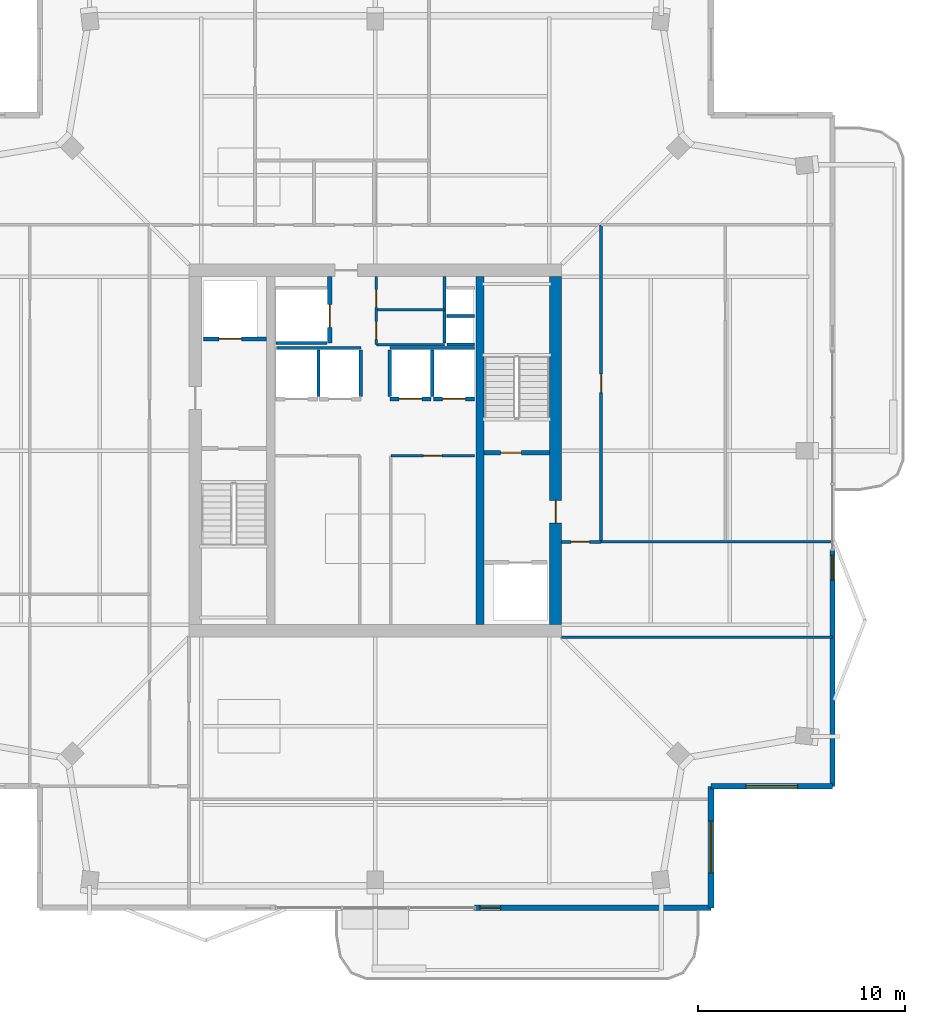
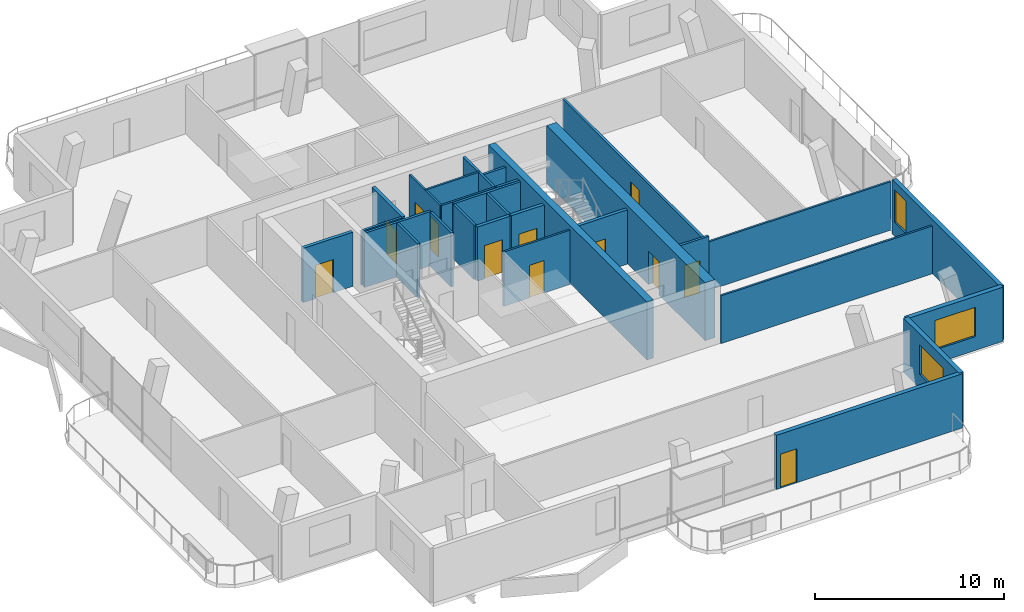
# One storey, part 14 of 19: 29 walls, 12 doors, 3 windows, 15 openings.
"""IFC4 building model written with IfcOpenShell, lengths in metres."""

from ifc_helpers import new_model, si_unit, direction, frame, frame_2d, origin, place, context, subcontext, project, spatial, rectangle, extrude, material, layer, layer_set, type_object, element, fill, save


model = new_model("IFC4")

# Units and contexts
model_context = context("Model", 3, precision=1e-05, world=origin(), true_north=direction((0.0, 1.0)))
body_context = subcontext(model_context, "Body", "Model", "MODEL_VIEW")
ifc_project = project(units=[si_unit("LENGTHUNIT", "METRE"), si_unit("AREAUNIT", "SQUARE_METRE"), si_unit("VOLUMEUNIT", "CUBIC_METRE"), si_unit("PLANEANGLEUNIT", "RADIAN"), si_unit("MASSUNIT", "GRAM", prefix="KILO")], contexts=[model_context])

# Site, building, storey
site_placement = place(None, origin())
site = spatial("IfcSite", under=ifc_project, at=site_placement, CompositionType="ELEMENT")
building_placement = place(site_placement, origin())
building = spatial("IfcBuilding", under=site, at=building_placement, Name="Belovzor Exchange Tower", CompositionType="ELEMENT")
storey_placement = place(building_placement, frame((0.0, 0.0, 340.5)))
storey = spatial("IfcBuildingStorey", under=building, at=storey_placement, Name="L85", CompositionType="ELEMENT", Elevation=340.5)

# Walls
ifc_material_1 = material(Name="Acoustic Plasterboard on Galvanised Studs", Category="gypsum")
ifc_layer_1 = layer(ifc_material_1, 0.1201171875)
ifc_layer_set_1 = layer_set([ifc_layer_1], Name="Acoustic Plasterboard on Galvanised Studs")
wall_type_1 = type_object("IfcWallType", Name="Acoustic Double-Stud Partition Wall 120", PredefinedType="PARTITIONING", material=ifc_layer_set_1)
wall_1_placement = place(storey_placement, frame((37.800048828125, 19.800048828125, 0.0), z_axis=(0.0, 0.0, 1.0), x_axis=(1.0, 0.0, 0.0)))
element("IfcWall", 1, at=wall_1_placement, inside=storey, type_object=wall_type_1, Name="W-P120 Partition Wall W-L85-ESS", PredefinedType="PARTITIONING", context=body_context, shape_type="SweptSolid", body=[
    extrude(rectangle(XDim=13.070068359375, YDim=0.1201171875, at=frame_2d((6.53515625, 0.0))), origin(), (0.0, 0.0, 1.0), 3.094970703125),
])
wall_2_placement = place(storey_placement, frame((39.699951171875, 24.39990234375, 0.0), z_axis=(0.0, 0.0, 1.0), x_axis=(1.0, 0.0, 0.0)))
element("IfcWall", 2, at=wall_2_placement, inside=storey, type_object=wall_type_1, Name="W-P120 Partition Wall W-L85-ESN", PredefinedType="PARTITIONING", context=body_context, shape_type="SweptSolid", body=[
    extrude(rectangle(XDim=11.170166015625, YDim=0.1201171875, at=frame_2d((5.5849609375, 0.0))), origin(), (0.0, 0.0, 1.0), 3.135009765625),
])

# Wall, openings, doors
ifc_material_2 = material(Name="Fire-Rated Plasterboard on Galvanised Studs", Category="gypsum")
ifc_layer_2 = layer(ifc_material_2, 0.1201171875)
ifc_layer_set_2 = layer_set([ifc_layer_2], Name="Fire-Rated Plasterboard on Galvanised Studs")
wall_type_2 = type_object("IfcWallType", Name="Fire-Rated Double-Stud Partition Wall 120", PredefinedType="PARTITIONING", material=ifc_layer_set_2)
wall_3_placement = place(storey_placement, frame((28.85009765625, 33.925048828125, 0.0), z_axis=(0.0, 0.0, 1.0), x_axis=(0.0, 1.0, 0.0)))
wall_3 = element("IfcWall", 3, at=wall_3_placement, inside=storey, type_object=wall_type_2, Name="W-P120F Partition Wall W-CRV-L85-W", PredefinedType="PARTITIONING", context=body_context, shape_type="SweptSolid", body=[
    extrude(rectangle(XDim=3.27490234375, YDim=0.1201171875, at=frame_2d((1.637451171875, 0.0))), origin(), (0.0, 0.0, 1.0), 3.510009765625),
])
opening_1_placement = place(wall_3_placement, frame((0.25, 0.0, 0.0)))
opening_1 = element("IfcOpeningElement", 4, at=opening_1_placement, cuts=wall_3, Name="Opening D-FD60-085", PredefinedType="OPENING", context=body_context, shape_type="SweptSolid", body=[
    extrude(rectangle(XDim=0.85009765625, YDim=2.10009765625, at=frame_2d((0.425048828125, 1.050048828125))), frame((0.0, 0.070068359375, 0.0), z_axis=(0.0, -1.0, 0.0), x_axis=(1.0, 0.0, 0.0)), (0.0, 0.0, 1.0), 0.14013671875),
])
opening_2_placement = place(wall_3_placement, frame((1.794921875, 0.0, 0.0)))
opening_2 = element("IfcOpeningElement", 5, at=opening_2_placement, cuts=wall_3, Name="Opening D-FD60-085", PredefinedType="OPENING", context=body_context, shape_type="SweptSolid", body=[
    extrude(rectangle(XDim=0.85009765625, YDim=2.10009765625, at=frame_2d((0.425048828125, 1.050048828125))), frame((0.0, 0.070068359375, 0.0), z_axis=(0.0, -1.0, 0.0), x_axis=(1.0, 0.0, 0.0)), (0.0, 0.0, 1.0), 0.14013671875),
])
ifc_material_3 = material(Name="Fire-Rated Steel Access Leaf", Category="steel")
door_type_1 = type_object("IfcDoorType", Name="Riser & Meter Closet Access Fire Door 850x2100", OperationType="NOTDEFINED", PredefinedType="DOOR", material=ifc_material_3)
door_1_placement = place(opening_1_placement, origin())
door_1 = element("IfcDoor", 6, at=door_1_placement, inside=storey, type_object=door_type_1, Name="D-FD60-085 Riser & Meter Closet Access Fire Door 850x2100", OperationType="SINGLE_SWING_LEFT", OverallHeight=2.10009765625, OverallWidth=0.85009765625, PredefinedType="DOOR", context=body_context, shape_type="SweptSolid", body=[
    extrude(rectangle(XDim=0.85009765625, YDim=2.10009765625, at=frame_2d((0.425048828125, 1.050048828125))), frame((0.0, 0.02490234375, 0.0), z_axis=(0.0, -1.0, 0.0), x_axis=(1.0, 0.0, 0.0)), (0.0, 0.0, 1.0), 0.050048828125),
])
fill(opening_1, door_1)
door_2_placement = place(opening_2_placement, origin())
door_2 = element("IfcDoor", 7, at=door_2_placement, inside=storey, type_object=door_type_1, Name="D-FD60-085 Riser & Meter Closet Access Fire Door 850x2100", OperationType="SINGLE_SWING_RIGHT", OverallHeight=2.10009765625, OverallWidth=0.85009765625, PredefinedType="DOOR", context=body_context, shape_type="SweptSolid", body=[
    extrude(rectangle(XDim=0.85009765625, YDim=2.10009765625, at=frame_2d((0.425048828125, 1.050048828125))), frame((0.0, 0.02490234375, 0.0), z_axis=(0.0, -1.0, 0.0), x_axis=(1.0, 0.0, 0.0)), (0.0, 0.0, 1.0), 0.050048828125),
])
fill(opening_2, door_2)

# Walls
for number, where, z_axis, x_axis, name in (
    (8, (28.85009765625, 35.60009765625, 0.0), (0.0, 0.0, 1.0), (1.0, 0.0, 0.0), "W-P120F Partition Wall W-CRV-L85-M"),
    (9, (28.85009765625, 33.925048828125, 0.0), (0.0, 0.0, 1.0), (1.0, 0.0, 0.0), "W-P120F Partition Wall W-CRV-L85-S"),
):
    element("IfcWall", number, at=place(storey_placement, frame(where, z_axis=z_axis, x_axis=x_axis)), inside=storey, type_object=wall_type_2, Name=name, PredefinedType="PARTITIONING", context=body_context, shape_type="SweptSolid", body=[
        extrude(rectangle(XDim=3.2998046875, YDim=0.1201171875, at=frame_2d((1.64990234375, 0.0))), origin(), (0.0, 0.0, 1.0), 3.510009765625),
    ])

# Wall, opening, door
wall_4_placement = place(storey_placement, frame((29.550048828125, 28.550048828125, 0.0), z_axis=(0.0, 0.0, 1.0), x_axis=(1.0, 0.0, 0.0)))
wall_4 = element("IfcWall", 10, at=wall_4_placement, inside=storey, type_object=wall_type_2, Name="W-P120F Partition Wall W-CREB-L85-N", PredefinedType="PARTITIONING", context=body_context, shape_type="SweptSolid", body=[
    extrude(rectangle(XDim=4.050048828125, YDim=0.1201171875, at=frame_2d((2.02490234375, 0.0))), origin(), (0.0, 0.0, 1.0), 3.510009765625),
])
opening_3_placement = place(wall_4_placement, frame((1.574951171875, 0.0, 0.0)))
opening_3 = element("IfcOpeningElement", 11, at=opening_3_placement, cuts=wall_4, Name="Opening D-FD60-090", PredefinedType="OPENING", context=body_context, shape_type="SweptSolid", body=[
    extrude(rectangle(XDim=0.89990234375, YDim=2.10009765625, at=frame_2d((0.449951171875, 1.050048828125))), frame((0.0, 0.070068359375, 0.0), z_axis=(0.0, -1.0, 0.0), x_axis=(1.0, 0.0, 0.0)), (0.0, 0.0, 1.0), 0.14013671875),
])
ifc_material_4 = material(Name="Acoustic Timber Fire Leaf", Category="wood")
door_type_2 = type_object("IfcDoorType", Name="Core Service & Restroom Fire Door 900x2100", OperationType="NOTDEFINED", PredefinedType="DOOR", material=ifc_material_4)
door_3_placement = place(opening_3_placement, origin())
door_3 = element("IfcDoor", 12, at=door_3_placement, inside=storey, type_object=door_type_2, Name="D-FD60-090 Core Service & Restroom Fire Door 900x2100", OperationType="SINGLE_SWING_RIGHT", OverallHeight=2.10009765625, OverallWidth=0.89990234375, PredefinedType="DOOR", context=body_context, shape_type="SweptSolid", body=[
    extrude(rectangle(XDim=0.89990234375, YDim=2.10009765625, at=frame_2d((0.449951171875, 1.050048828125))), frame((0.0, 0.02490234375, 0.0), z_axis=(0.0, -1.0, 0.0), x_axis=(1.0, 0.0, 0.0)), (0.0, 0.0, 1.0), 0.050048828125),
])
fill(opening_3, door_3)

ifc_material_5 = material(Name="Fire-Rated Gypsum Block and Mineral Wool", Category="gypsum")
ifc_layer_3 = layer(ifc_material_5, 0.14990234375)
ifc_layer_set_3 = layer_set([ifc_layer_3], Name="Fire-Rated Gypsum Block and Mineral Wool")
wall_type_3 = type_object("IfcWallType", Name="Fire-Rated Gypsum Block Corridor Wall 150", PredefinedType="PARTITIONING", material=ifc_layer_set_3)
wall_5_placement = place(storey_placement, frame((37.800048828125, 24.39990234375, 0.0), z_axis=(0.0, 0.0, 1.0), x_axis=(1.0, 0.0, 0.0)))
wall_5 = element("IfcWall", 13, at=wall_5_placement, inside=storey, type_object=wall_type_3, Name="W-P150 Partition Wall W-L85-CE-END", PredefinedType="PARTITIONING", context=body_context, shape_type="SweptSolid", body=[
    extrude(rectangle(XDim=1.89990234375, YDim=0.14990234375, at=frame_2d((0.949951171875, 0.0))), origin(), (0.0, 0.0, 1.0), 3.510009765625),
])
opening_4_placement = place(wall_5_placement, frame((0.449951171875, 0.0, 0.0)))
opening_4 = element("IfcOpeningElement", 14, at=opening_4_placement, cuts=wall_5, Name="Opening D-FD60-090", PredefinedType="OPENING", context=body_context, shape_type="SweptSolid", body=[
    extrude(rectangle(XDim=0.89990234375, YDim=2.10009765625, at=frame_2d((0.449951171875, 1.050048828125))), frame((0.0, 0.0849609375, 0.0), z_axis=(0.0, -1.0, 0.0), x_axis=(1.0, 0.0, 0.0)), (0.0, 0.0, 1.0), 0.169921875),
])
door_4_placement = place(opening_4_placement, origin())
door_4 = element("IfcDoor", 15, at=door_4_placement, inside=storey, type_object=door_type_2, Name="D-FD60-090 Core Service & Restroom Fire Door 900x2100", OperationType="SINGLE_SWING_LEFT", OverallHeight=2.10009765625, OverallWidth=0.89990234375, PredefinedType="DOOR", context=body_context, shape_type="SweptSolid", body=[
    extrude(rectangle(XDim=0.89990234375, YDim=2.10009765625, at=frame_2d((0.449951171875, 1.050048828125))), frame((0.0, 0.02490234375, 0.0), z_axis=(0.0, -1.0, 0.0), x_axis=(1.0, 0.0, 0.0)), (0.0, 0.0, 1.0), 0.050048828125),
])
fill(opening_4, door_4)

wall_6_placement = place(storey_placement, frame((39.699951171875, 24.39990234375, 0.0), z_axis=(0.0, 0.0, 1.0), x_axis=(0.0, 1.0, 0.0)))
wall_6 = element("IfcWall", 16, at=wall_6_placement, inside=storey, type_object=wall_type_3, Name="W-P150 Partition Wall W-L85-CE", PredefinedType="PARTITIONING", context=body_context, shape_type="SweptSolid", body=[
    extrude(rectangle(XDim=15.300048828125, YDim=0.14990234375, at=frame_2d((7.64990234375, 0.0))), origin(), (0.0, 0.0, 1.0), 3.094970703125),
])
opening_5_placement = place(wall_6_placement, frame((7.199951171875, 0.0, 0.0)))
opening_5 = element("IfcOpeningElement", 17, at=opening_5_placement, cuts=wall_6, Name="Opening D-INT-090", PredefinedType="OPENING", context=body_context, shape_type="SweptSolid", body=[
    extrude(rectangle(XDim=0.89990234375, YDim=2.10009765625, at=frame_2d((0.449951171875, 1.050048828125))), frame((0.0, 0.0849609375, 0.0), z_axis=(0.0, -1.0, 0.0), x_axis=(1.0, 0.0, 0.0)), (0.0, 0.0, 1.0), 0.169921875),
])
ifc_material_6 = material(Name="Veneered Hardwood Acoustic Leaf", Category="wood")
door_type_3 = type_object("IfcDoorType", Name="Trading Suite Acoustic Single Door 900x2100", OperationType="NOTDEFINED", PredefinedType="DOOR", material=ifc_material_6)
door_5_placement = place(opening_5_placement, origin())
door_5 = element("IfcDoor", 18, at=door_5_placement, inside=storey, type_object=door_type_3, Name="D-INT-090 Trading Suite Acoustic Single Door 900x2100", OperationType="SINGLE_SWING_LEFT", OverallHeight=2.10009765625, OverallWidth=0.89990234375, PredefinedType="DOOR", context=body_context, shape_type="SweptSolid", body=[
    extrude(rectangle(XDim=0.89990234375, YDim=2.10009765625, at=frame_2d((0.449951171875, 1.050048828125))), frame((0.0, 0.02490234375, 0.0), z_axis=(0.0, -1.0, 0.0), x_axis=(1.0, 0.0, 0.0)), (0.0, 0.0, 1.0), 0.050048828125),
])
fill(opening_5, door_5)

# Wall, opening, window
ifc_material_7 = material(Name="Precast concrete C40/50", Category="concrete")
ifc_layer_4 = layer(ifc_material_7, 0.280029296875)
ifc_layer_set_4 = layer_set([ifc_layer_4], Name="Precast concrete C40/50")
wall_type_4 = type_object("IfcWallType", Name="Precast Concrete Notched Corner Frame Wall 280", PredefinedType="SOLIDWALL", material=ifc_layer_set_4)
wall_7_placement = place(storey_placement, frame((50.8701171875, 12.60009765625, 0.0), z_axis=(0.0, 0.0, 1.0), x_axis=(-1.0, 0.0, 0.0)))
wall_7 = element("IfcWall", 19, at=wall_7_placement, inside=storey, type_object=wall_type_4, Name="W-CRN280 Precast Concrete Notched Corner Frame Wall 280 L85", PredefinedType="SOLIDWALL", context=body_context, shape_type="SweptSolid", body=[
    extrude(rectangle(XDim=5.8701171875, YDim=0.280029296875, at=frame_2d((2.93505859375, 0.0))), origin(), (0.0, 0.0, 1.0), 3.510009765625),
])
opening_6_placement = place(wall_7_placement, frame((1.68505859375, 0.0, 0.89990234375)))
opening_6 = element("IfcOpeningElement", 20, at=opening_6_placement, cuts=wall_7, Name="Opening WN-CRN250", PredefinedType="OPENING", context=body_context, shape_type="SweptSolid", body=[
    extrude(rectangle(XDim=2.5, YDim=1.89990234375, at=frame_2d((1.25, 0.949951171875))), frame((0.0, 0.14990234375, 0.0), z_axis=(0.0, -1.0, 0.0), x_axis=(1.0, 0.0, 0.0)), (0.0, 0.0, 1.0), 0.300048828125),
])
ifc_material_8 = material(Name="Thermally Broken Aluminium and Triple Glazing", Category="aluminium")
window_type_1 = type_object("IfcWindowType", Name="Streamline Moderne Corner Wrap Ribbon Window 2500x1900", PartitioningType="SINGLE_PANEL", PredefinedType="WINDOW", material=ifc_material_8)
window_1_placement = place(opening_6_placement, origin())
window_1 = element("IfcWindow", 21, at=window_1_placement, inside=storey, type_object=window_type_1, Name="WN-CRN250 Streamline Moderne Corner Wrap Ribbon Window 2500x1900", OverallHeight=1.89990234375, OverallWidth=2.5, PartitioningType="SINGLE_PANEL", PredefinedType="WINDOW", context=body_context, shape_type="SweptSolid", body=[
    extrude(rectangle(XDim=2.5, YDim=1.89990234375, at=frame_2d((1.25, 0.949951171875))), frame((0.0, 0.030029296875, 0.0), z_axis=(0.0, -1.0, 0.0), x_axis=(1.0, 0.0, 0.0)), (0.0, 0.0, 1.0), 0.06005859375),
])
fill(opening_6, window_1)

wall_8_placement = place(storey_placement, frame((45.0, 12.60009765625, 0.0), z_axis=(0.0, 0.0, 1.0), x_axis=(0.0, -1.0, 0.0)))
wall_8 = element("IfcWall", 22, at=wall_8_placement, inside=storey, type_object=wall_type_4, Name="W-CRN280 Precast Concrete Notched Corner Frame Wall 280 L85", PredefinedType="SOLIDWALL", context=body_context, shape_type="SweptSolid", body=[
    extrude(rectangle(XDim=5.8701171875, YDim=0.280029296875, at=frame_2d((2.93505859375, 0.0))), origin(), (0.0, 0.0, 1.0), 3.510009765625),
])
opening_7_placement = place(wall_8_placement, frame((1.68505859375, 0.0, 0.89990234375)))
opening_7 = element("IfcOpeningElement", 23, at=opening_7_placement, cuts=wall_8, Name="Opening WN-CRN250", PredefinedType="OPENING", context=body_context, shape_type="SweptSolid", body=[
    extrude(rectangle(XDim=2.5, YDim=1.89990234375, at=frame_2d((1.25, 0.949951171875))), frame((0.0, 0.14990234375, 0.0), z_axis=(0.0, -1.0, 0.0), x_axis=(1.0, 0.0, 0.0)), (0.0, 0.0, 1.0), 0.300048828125),
])
window_2_placement = place(opening_7_placement, origin())
window_2 = element("IfcWindow", 24, at=window_2_placement, inside=storey, type_object=window_type_1, Name="WN-CRN250 Streamline Moderne Corner Wrap Ribbon Window 2500x1900", OverallHeight=1.89990234375, OverallWidth=2.5, PartitioningType="SINGLE_PANEL", PredefinedType="WINDOW", context=body_context, shape_type="SweptSolid", body=[
    extrude(rectangle(XDim=2.5, YDim=1.89990234375, at=frame_2d((1.25, 0.949951171875))), frame((0.0, 0.030029296875, 0.0), z_axis=(0.0, -1.0, 0.0), x_axis=(1.0, 0.0, 0.0)), (0.0, 0.0, 1.0), 0.06005859375),
])
fill(opening_7, window_2)

# Wall, opening, door
ifc_material_9 = material(Name="Precast concrete C40/50", Category="concrete")
ifc_layer_5 = layer(ifc_material_9, 0.260009765625)
ifc_layer_set_5 = layer_set([ifc_layer_5], Name="Precast concrete C40/50")
wall_type_5 = type_object("IfcWallType", Name="Precast Concrete Perimeter Loggia Frame Wall 260", PredefinedType="SOLIDWALL", material=ifc_layer_set_5)
wall_9_placement = place(storey_placement, frame((45.0, 6.72998046875, 0.0), z_axis=(0.0, 0.0, 1.0), x_axis=(-1.0, 0.0, 0.0)))
wall_9 = element("IfcWall", 25, at=wall_9_placement, inside=storey, type_object=wall_type_5, Name="W-EXT260 Precast Concrete Perimeter Loggia Frame Wall 260 L85", PredefinedType="SOLIDWALL", context=body_context, shape_type="SweptSolid", body=[
    extrude(rectangle(XDim=11.39990234375, YDim=0.260009765625, at=frame_2d((5.699951171875, 0.0))), origin(), (0.0, 0.0, 1.0), 3.510009765625),
])
opening_8_placement = place(wall_9_placement, frame((10.14990234375, 0.0, 0.0)))
opening_8 = element("IfcOpeningElement", 26, at=opening_8_placement, cuts=wall_9, Name="Opening D-BAL100", PredefinedType="OPENING", context=body_context, shape_type="SweptSolid", body=[
    extrude(rectangle(XDim=1.0, YDim=2.199951171875, at=frame_2d((0.5, 1.10009765625))), frame((0.0, 0.139892578125, 0.0), z_axis=(0.0, -1.0, 0.0), x_axis=(1.0, 0.0, 0.0)), (0.0, 0.0, 1.0), 0.280029296875),
])
ifc_material_10 = material(Name="Thermally Broken Anodised Aluminium and Laminated Glass", Category="aluminium")
door_type_4 = type_object("IfcDoorType", Name="Planted Loggia Terrace Glazed Door 1000x2200", OperationType="SINGLE_SWING_LEFT", PredefinedType="DOOR", material=ifc_material_10)
door_6_placement = place(opening_8_placement, origin())
door_6 = element("IfcDoor", 27, at=door_6_placement, inside=storey, type_object=door_type_4, Name="D-BAL100 Balcony Terrace Door L85 S", OperationType="SINGLE_SWING_LEFT", OverallHeight=2.199951171875, OverallWidth=1.0, PredefinedType="DOOR", context=body_context, shape_type="SweptSolid", body=[
    extrude(rectangle(XDim=1.0, YDim=2.199951171875, at=frame_2d((0.5, 1.10009765625))), frame((0.0, 0.02490234375, 0.0), z_axis=(0.0, -1.0, 0.0), x_axis=(1.0, 0.0, 0.0)), (0.0, 0.0, 1.0), 0.050048828125),
])
fill(opening_8, door_6)

# Wall, opening, window
wall_10_placement = place(storey_placement, frame((50.8701171875, 24.0, 0.0), z_axis=(0.0, 0.0, 1.0), x_axis=(0.0, -1.0, 0.0)))
wall_10 = element("IfcWall", 28, at=wall_10_placement, inside=storey, type_object=wall_type_5, Name="W-EXT260 Precast Concrete Perimeter Loggia Frame Wall 260 L85", PredefinedType="SOLIDWALL", context=body_context, shape_type="SweptSolid", body=[
    extrude(rectangle(XDim=11.39990234375, YDim=0.260009765625, at=frame_2d((5.699951171875, 0.0))), origin(), (0.0, 0.0, 1.0), 3.510009765625),
])
opening_9_placement = place(wall_10_placement, frame((0.25, 0.0, 0.89990234375)))
opening_9 = element("IfcOpeningElement", 29, at=opening_9_placement, cuts=wall_10, Name="Opening WN-CRN120", PredefinedType="OPENING", context=body_context, shape_type="SweptSolid", body=[
    extrude(rectangle(XDim=1.199951171875, YDim=2.10009765625, at=frame_2d((0.60009765625, 1.050048828125))), frame((0.0, 0.139892578125, 0.0), z_axis=(0.0, -1.0, 0.0), x_axis=(1.0, 0.0, 0.0)), (0.0, 0.0, 1.0), 0.280029296875),
])
ifc_material_11 = material(Name="Thermally Broken Aluminium and Triple Glazing", Category="aluminium")
window_type_2 = type_object("IfcWindowType", Name="Streamline Notched Corner Window 1200x2100", PartitioningType="SINGLE_PANEL", PredefinedType="WINDOW", material=ifc_material_11)
window_3_placement = place(opening_9_placement, origin())
window_3 = element("IfcWindow", 30, at=window_3_placement, inside=storey, type_object=window_type_2, Name="WN-CRN120 Streamline Notched Corner Window 1200x2100", OverallHeight=2.10009765625, OverallWidth=1.199951171875, PartitioningType="SINGLE_PANEL", PredefinedType="WINDOW", context=body_context, shape_type="SweptSolid", body=[
    extrude(rectangle(XDim=1.199951171875, YDim=2.10009765625, at=frame_2d((0.60009765625, 1.050048828125))), frame((0.0, 0.030029296875, 0.0), z_axis=(0.0, -1.0, 0.0), x_axis=(1.0, 0.0, 0.0)), (0.0, 0.0, 1.0), 0.06005859375),
])
fill(opening_9, window_3)

# Walls
ifc_material_12 = material(Name="Concrete C50/60", Category="concrete")
ifc_layer_6 = layer(ifc_material_12, 0.39990234375)
ifc_layer_set_6 = layer_set([ifc_layer_6], Name="Concrete C50/60")
wall_type_6 = type_object("IfcWallType", Name="Reinforced Concrete Core Internal Web Wall 400", PredefinedType="SHEAR", material=ifc_layer_set_6)
wall_11_placement = place(storey_placement, frame((33.85009765625, 20.39990234375, 0.0), z_axis=(0.0, 0.0, 1.0), x_axis=(0.0, 1.0, 0.0)))
element("IfcWall", 31, at=wall_11_placement, inside=storey, type_object=wall_type_6, Name="CW-W040 Core Internal Web Wall L85 ER", PredefinedType="SHEAR", context=body_context, shape_type="SweptSolid", body=[
    extrude(rectangle(XDim=16.800048828125, YDim=0.39990234375, at=frame_2d((8.39990234375, 0.0))), origin(), (0.0, 0.0, 1.0), 3.75),
])
ifc_material_13 = material(Name="Concrete C50/60", Category="concrete")
ifc_layer_7 = layer(ifc_material_13, 0.14990234375)
ifc_layer_set_7 = layer_set([ifc_layer_7], Name="Concrete C50/60")
wall_type_7 = type_object("IfcWallType", Name="Reinforced Concrete Core Riser Shear Wall 150", PredefinedType="SHEAR", material=ifc_layer_set_7)
wall_12_placement = place(storey_placement, frame((32.14990234375, 34.0, 0.0), z_axis=(0.0, 0.0, 1.0), x_axis=(0.0, 1.0, 0.0)))
element("IfcWall", 32, at=wall_12_placement, inside=storey, type_object=wall_type_7, Name="W-C150S Core Shaft Wall W-RSR-L85-E", PredefinedType="SHEAR", context=body_context, shape_type="SweptSolid", body=[
    extrude(rectangle(XDim=3.199951171875, YDim=0.14990234375, at=frame_2d((1.60009765625, 0.0))), origin(), (0.0, 0.0, 1.0), 3.510009765625),
])
for number, where, z_axis, x_axis, name in (
    (33, (32.25, 33.925048828125, 0.0), (0.0, 0.0, 1.0), (1.0, 0.0, 0.0), "W-C150S Core Shaft Wall W-RSR-L85-S"),
    (34, (32.25, 35.300048828125, 0.0), (0.0, 0.0, 1.0), (1.0, 0.0, 0.0), "W-C150S Core Shaft Wall W-RSR-L85-M"),
):
    element("IfcWall", number, at=place(storey_placement, frame(where, z_axis=z_axis, x_axis=x_axis)), inside=storey, type_object=wall_type_7, Name=name, PredefinedType="SHEAR", context=body_context, shape_type="SweptSolid", body=[
        extrude(rectangle(XDim=1.330078125, YDim=0.14990234375, at=frame_2d((0.6650390625, 0.0))), origin(), (0.0, 0.0, 1.0), 3.510009765625),
    ])
wall_13_placement = place(storey_placement, frame((24.0, 34.0, 0.0), z_axis=(0.0, 0.0, 1.0), x_axis=(1.0, 0.0, 0.0)))
element("IfcWall", 35, at=wall_13_placement, inside=storey, type_object=wall_type_7, Name="W-C150S Core Shaft Wall W-SH-L85-SL-01S", PredefinedType="SHEAR", context=body_context, shape_type="SweptSolid", body=[
    extrude(rectangle(XDim=2.47998046875, YDim=0.14990234375, at=frame_2d((1.239990234375, 0.0))), origin(), (0.0, 0.0, 1.0), 3.510009765625),
])
for number, where, z_axis, x_axis, name in (
    (36, (24.02001953125, 33.760009765625, 0.0), (0.0, 0.0, 1.0), (1.0, 0.0, 0.0), "W-C150S Core Shaft Wall W-SHB-L85-PLH-NW"),
    (37, (29.5, 33.760009765625, 0.0), (0.0, 0.0, 1.0), (1.0, 0.0, 0.0), "W-C150S Core Shaft Wall W-SHB-L85-PLH-NE"),
):
    element("IfcWall", number, at=place(storey_placement, frame(where, z_axis=z_axis, x_axis=x_axis)), inside=storey, type_object=wall_type_7, Name=name, PredefinedType="SHEAR", context=body_context, shape_type="SweptSolid", body=[
        extrude(rectangle(XDim=4.080078125, YDim=0.14990234375, at=frame_2d((2.0400390625, 0.0))), origin(), (0.0, 0.0, 1.0), 3.510009765625),
    ])
for number, where, z_axis, x_axis, name in (
    (38, (26.050048828125, 31.419921875, 0.0), (0.0, 0.0, 1.0), (0.0, 1.0, 0.0), "W-C150S Core Shaft Wall W-SHD-L85-PLH-1"),
    (39, (28.10009765625, 31.419921875, 0.0), (0.0, 0.0, 1.0), (0.0, 1.0, 0.0), "W-C150S Core Shaft Wall W-SHD-L85-PLH-2"),
    (40, (29.5, 31.419921875, 0.0), (0.0, 0.0, 1.0), (0.0, 1.0, 0.0), "W-C150S Core Shaft Wall W-SHD-L85-PLH-3"),
    (41, (31.550048828125, 31.419921875, 0.0), (0.0, 0.0, 1.0), (0.0, 1.0, 0.0), "W-C150S Core Shaft Wall W-SHD-L85-PLH-4"),
):
    element("IfcWall", number, at=place(storey_placement, frame(where, z_axis=z_axis, x_axis=x_axis)), inside=storey, type_object=wall_type_7, Name=name, PredefinedType="SHEAR", context=body_context, shape_type="SweptSolid", body=[
        extrude(rectangle(XDim=2.239990234375, YDim=0.14990234375, at=frame_2d((1.1201171875, 0.0))), origin(), (0.0, 0.0, 1.0), 3.510009765625),
    ])

# Wall, opening, door
ifc_material_14 = material(Name="Concrete C50/60", Category="concrete")
ifc_layer_8 = layer(ifc_material_14, 0.199951171875)
ifc_layer_set_8 = layer_set([ifc_layer_8], Name="Concrete C50/60")
wall_type_8 = type_object("IfcWallType", Name="Reinforced Concrete Core Shaft Shear Wall 200", PredefinedType="SHEAR", material=ifc_layer_set_8)
wall_14_placement = place(storey_placement, frame((34.050048828125, 28.699951171875, 0.0), z_axis=(0.0, 0.0, 1.0), x_axis=(1.0, 0.0, 0.0)))
wall_14 = element("IfcWall", 42, at=wall_14_placement, inside=storey, type_object=wall_type_8, Name="W-C200S Core Shaft Wall W-CORE-L85-FFLE2", PredefinedType="SHEAR", context=body_context, shape_type="SweptSolid", body=[
    extrude(rectangle(XDim=3.14990234375, YDim=0.199951171875, at=frame_2d((1.574951171875, 0.0))), origin(), (0.0, 0.0, 1.0), 3.510009765625),
])
opening_10_placement = place(wall_14_placement, frame((0.800048828125, 0.0, 0.0)))
opening_10 = element("IfcOpeningElement", 43, at=opening_10_placement, cuts=wall_14, Name="Opening D-FD90-100", PredefinedType="OPENING", context=body_context, shape_type="SweptSolid", body=[
    extrude(rectangle(XDim=1.0, YDim=2.10009765625, at=frame_2d((0.5, 1.050048828125))), frame((0.0, 0.10986328125, 0.0), z_axis=(0.0, -1.0, 0.0), x_axis=(1.0, 0.0, 0.0)), (0.0, 0.0, 1.0), 0.219970703125),
])
ifc_material_15 = material(Name="Fire-Rated Galvanised Steel Leaf", Category="steel")
door_type_5 = type_object("IfcDoorType", Name="Protected Stairwell Single Fire Door 1000x2100", OperationType="NOTDEFINED", PredefinedType="DOOR", material=ifc_material_15)
door_7_placement = place(opening_10_placement, origin())
door_7 = element("IfcDoor", 44, at=door_7_placement, inside=storey, type_object=door_type_5, Name="D-FD90-100 Protected Stairwell Single Fire Door 1000x2100", OperationType="SINGLE_SWING_LEFT", OverallHeight=2.10009765625, OverallWidth=1.0, PredefinedType="DOOR", context=body_context, shape_type="SweptSolid", body=[
    extrude(rectangle(XDim=1.0, YDim=2.10009765625, at=frame_2d((0.5, 1.050048828125))), frame((0.0, 0.02490234375, 0.0), z_axis=(0.0, -1.0, 0.0), x_axis=(1.0, 0.0, 0.0)), (0.0, 0.0, 1.0), 0.050048828125),
])
fill(opening_10, door_7)

wall_15_placement = place(storey_placement, frame((20.5, 34.199951171875, 0.0), z_axis=(0.0, 0.0, 1.0), x_axis=(1.0, 0.0, 0.0)))
wall_15 = element("IfcWall", 45, at=wall_15_placement, inside=storey, type_object=wall_type_8, Name="W-C200S Core Shaft Wall W-SH-L85-FFL-01", PredefinedType="SHEAR", context=body_context, shape_type="SweptSolid", body=[
    extrude(rectangle(XDim=3.050048828125, YDim=0.199951171875, at=frame_2d((1.52490234375, 0.0))), origin(), (0.0, 0.0, 1.0), 3.510009765625),
])
opening_11_placement = place(wall_15_placement, frame((0.75, 0.0, 0.0)))
opening_11 = element("IfcOpeningElement", 46, at=opening_11_placement, cuts=wall_15, Name="Opening LD-110", PredefinedType="OPENING", context=body_context, shape_type="SweptSolid", body=[
    extrude(rectangle(XDim=1.10009765625, YDim=2.14990234375, at=frame_2d((0.550048828125, 1.074951171875))), frame((0.0, 0.10986328125, 0.0), z_axis=(0.0, -1.0, 0.0), x_axis=(1.0, 0.0, 0.0)), (0.0, 0.0, 1.0), 0.219970703125),
])
ifc_material_16 = material(Name="Stainless Steel Grade 304", Category="steel")
door_type_6 = type_object("IfcDoorType", Name="Automated Stainless Steel Lift Landing Door 1100x2150", OperationType="SLIDING_TO_RIGHT", PredefinedType="DOOR", material=ifc_material_16)
door_8_placement = place(opening_11_placement, origin())
door_8 = element("IfcDoor", 47, at=door_8_placement, inside=storey, type_object=door_type_6, Name="LD-110 Automated Stainless Steel Lift Landing Door 1100x2150", OperationType="SLIDING_TO_RIGHT", OverallHeight=2.14990234375, OverallWidth=1.10009765625, PredefinedType="DOOR", context=body_context, shape_type="SweptSolid", body=[
    extrude(rectangle(XDim=1.10009765625, YDim=2.14990234375, at=frame_2d((0.550048828125, 1.074951171875))), frame((0.0, 0.02490234375, 0.0), z_axis=(0.0, -1.0, 0.0), x_axis=(1.0, 0.0, 0.0)), (0.0, 0.0, 1.0), 0.050048828125),
])
fill(opening_11, door_8)

wall_16_placement = place(storey_placement, frame((26.60009765625, 34.0, 0.0), z_axis=(0.0, 0.0, 1.0), x_axis=(0.0, 1.0, 0.0)))
wall_16 = element("IfcWall", 48, at=wall_16_placement, inside=storey, type_object=wall_type_8, Name="W-C200S Core Shaft Wall W-SH-L85-SL-01", PredefinedType="SHEAR", context=body_context, shape_type="SweptSolid", body=[
    extrude(rectangle(XDim=3.199951171875, YDim=0.199951171875, at=frame_2d((1.60009765625, 0.0))), origin(), (0.0, 0.0, 1.0), 3.510009765625),
])
opening_12_placement = place(wall_16_placement, frame((0.75, 0.0, 0.0)))
opening_12 = element("IfcOpeningElement", 49, at=opening_12_placement, cuts=wall_16, Name="Opening LD-110", PredefinedType="OPENING", context=body_context, shape_type="SweptSolid", body=[
    extrude(rectangle(XDim=1.10009765625, YDim=2.14990234375, at=frame_2d((0.550048828125, 1.074951171875))), frame((0.0, 0.10986328125, 0.0), z_axis=(0.0, -1.0, 0.0), x_axis=(1.0, 0.0, 0.0)), (0.0, 0.0, 1.0), 0.219970703125),
])
door_9_placement = place(opening_12_placement, origin())
door_9 = element("IfcDoor", 50, at=door_9_placement, inside=storey, type_object=door_type_6, Name="LD-110 Automated Stainless Steel Lift Landing Door 1100x2150", OperationType="SLIDING_TO_RIGHT", OverallHeight=2.14990234375, OverallWidth=1.10009765625, PredefinedType="DOOR", context=body_context, shape_type="SweptSolid", body=[
    extrude(rectangle(XDim=1.10009765625, YDim=2.14990234375, at=frame_2d((0.550048828125, 1.074951171875))), frame((0.0, 0.02490234375, 0.0), z_axis=(0.0, -1.0, 0.0), x_axis=(1.0, 0.0, 0.0)), (0.0, 0.0, 1.0), 0.050048828125),
])
fill(opening_12, door_9)

wall_17_placement = place(storey_placement, frame((29.5, 31.300048828125, 0.0), z_axis=(0.0, 0.0, 1.0), x_axis=(1.0, 0.0, 0.0)))
wall_17 = element("IfcWall", 51, at=wall_17_placement, inside=storey, type_object=wall_type_8, Name="W-C200S Core Shaft Wall W-SH-L85-PL-H3", PredefinedType="SHEAR", context=body_context, shape_type="SweptSolid", body=[
    extrude(rectangle(XDim=2.0, YDim=0.199951171875, at=frame_2d((1.0, 0.0))), origin(), (0.0, 0.0, 1.0), 3.510009765625),
])
opening_13_placement = place(wall_17_placement, frame((0.449951171875, 0.0, 0.0)))
opening_13 = element("IfcOpeningElement", 52, at=opening_13_placement, cuts=wall_17, Name="Opening LD-110", PredefinedType="OPENING", context=body_context, shape_type="SweptSolid", body=[
    extrude(rectangle(XDim=1.10009765625, YDim=2.14990234375, at=frame_2d((0.550048828125, 1.074951171875))), frame((0.0, 0.10986328125, 0.0), z_axis=(0.0, -1.0, 0.0), x_axis=(1.0, 0.0, 0.0)), (0.0, 0.0, 1.0), 0.219970703125),
])
door_10_placement = place(opening_13_placement, origin())
door_10 = element("IfcDoor", 53, at=door_10_placement, inside=storey, type_object=door_type_6, Name="LD-110 Automated Stainless Steel Lift Landing Door 1100x2150", OperationType="SLIDING_TO_RIGHT", OverallHeight=2.14990234375, OverallWidth=1.10009765625, PredefinedType="DOOR", context=body_context, shape_type="SweptSolid", body=[
    extrude(rectangle(XDim=1.10009765625, YDim=2.14990234375, at=frame_2d((0.550048828125, 1.074951171875))), frame((0.0, 0.02490234375, 0.0), z_axis=(0.0, -1.0, 0.0), x_axis=(1.0, 0.0, 0.0)), (0.0, 0.0, 1.0), 0.050048828125),
])
fill(opening_13, door_10)

wall_18_placement = place(storey_placement, frame((31.60009765625, 31.300048828125, 0.0), z_axis=(0.0, 0.0, 1.0), x_axis=(1.0, 0.0, 0.0)))
wall_18 = element("IfcWall", 54, at=wall_18_placement, inside=storey, type_object=wall_type_8, Name="W-C200S Core Shaft Wall W-SH-L85-PL-H4", PredefinedType="SHEAR", context=body_context, shape_type="SweptSolid", body=[
    extrude(rectangle(XDim=2.0, YDim=0.199951171875, at=frame_2d((1.0, 0.0))), origin(), (0.0, 0.0, 1.0), 3.510009765625),
])
opening_14_placement = place(wall_18_placement, frame((0.449951171875, 0.0, 0.0)))
opening_14 = element("IfcOpeningElement", 55, at=opening_14_placement, cuts=wall_18, Name="Opening LD-110", PredefinedType="OPENING", context=body_context, shape_type="SweptSolid", body=[
    extrude(rectangle(XDim=1.10009765625, YDim=2.14990234375, at=frame_2d((0.550048828125, 1.074951171875))), frame((0.0, 0.10986328125, 0.0), z_axis=(0.0, -1.0, 0.0), x_axis=(1.0, 0.0, 0.0)), (0.0, 0.0, 1.0), 0.219970703125),
])
door_11_placement = place(opening_14_placement, origin())
door_11 = element("IfcDoor", 56, at=door_11_placement, inside=storey, type_object=door_type_6, Name="LD-110 Automated Stainless Steel Lift Landing Door 1100x2150", OperationType="SLIDING_TO_RIGHT", OverallHeight=2.14990234375, OverallWidth=1.10009765625, PredefinedType="DOOR", context=body_context, shape_type="SweptSolid", body=[
    extrude(rectangle(XDim=1.10009765625, YDim=2.14990234375, at=frame_2d((0.550048828125, 1.074951171875))), frame((0.0, 0.02490234375, 0.0), z_axis=(0.0, -1.0, 0.0), x_axis=(1.0, 0.0, 0.0)), (0.0, 0.0, 1.0), 0.050048828125),
])
fill(opening_14, door_11)

ifc_material_17 = material(Name="Concrete C50/60", Category="concrete")
ifc_layer_9 = layer(ifc_material_17, 0.60009765625)
ifc_layer_set_9 = layer_set([ifc_layer_9], Name="Concrete C50/60")
wall_type_9 = type_object("IfcWallType", Name="Reinforced Concrete Core Shear Wall 600", PredefinedType="SHEAR", material=ifc_layer_set_9)
wall_19_placement = place(storey_placement, frame((37.5, 20.39990234375, 0.0), z_axis=(0.0, 0.0, 1.0), x_axis=(0.0, 1.0, 0.0)))
wall_19 = element("IfcWall", 57, at=wall_19_placement, inside=storey, type_object=wall_type_9, Name="CW-S060 Core Shear Wall L85 E", PredefinedType="SHEAR", context=body_context, shape_type="SweptSolid", body=[
    extrude(rectangle(XDim=16.800048828125, YDim=0.60009765625, at=frame_2d((8.39990234375, 0.0))), origin(), (0.0, 0.0, 1.0), 3.75),
])
opening_15_placement = place(wall_19_placement, frame((4.89990234375, 0.0, 0.0)))
opening_15 = element("IfcOpeningElement", 58, at=opening_15_placement, cuts=wall_19, Name="Opening D-FD90-110", PredefinedType="OPENING", context=body_context, shape_type="SweptSolid", body=[
    extrude(rectangle(XDim=1.10009765625, YDim=2.14990234375, at=frame_2d((0.550048828125, 1.074951171875))), frame((0.0, 0.31005859375, 0.0), z_axis=(0.0, -1.0, 0.0), x_axis=(1.0, 0.0, 0.0)), (0.0, 0.0, 1.0), 0.6201171875),
])
ifc_material_18 = material(Name="Fire-Rated Galvanised Steel Leaf", Category="steel")
door_type_7 = type_object("IfcDoorType", Name="Protected Escape Vestibule Fire Door 1100x2150", OperationType="NOTDEFINED", PredefinedType="DOOR", material=ifc_material_18)
door_12_placement = place(opening_15_placement, origin())
door_12 = element("IfcDoor", 59, at=door_12_placement, inside=storey, type_object=door_type_7, Name="D-FD90-110 Protected Escape Vestibule Fire Door 1100x2150", OperationType="SINGLE_SWING_RIGHT", OverallHeight=2.14990234375, OverallWidth=1.10009765625, PredefinedType="DOOR", context=body_context, shape_type="SweptSolid", body=[
    extrude(rectangle(XDim=1.10009765625, YDim=2.14990234375, at=frame_2d((0.550048828125, 1.074951171875))), frame((0.0, 0.02490234375, 0.0), z_axis=(0.0, -1.0, 0.0), x_axis=(1.0, 0.0, 0.0)), (0.0, 0.0, 1.0), 0.050048828125),
])
fill(opening_15, door_12)

save(model, "model.ifc")
